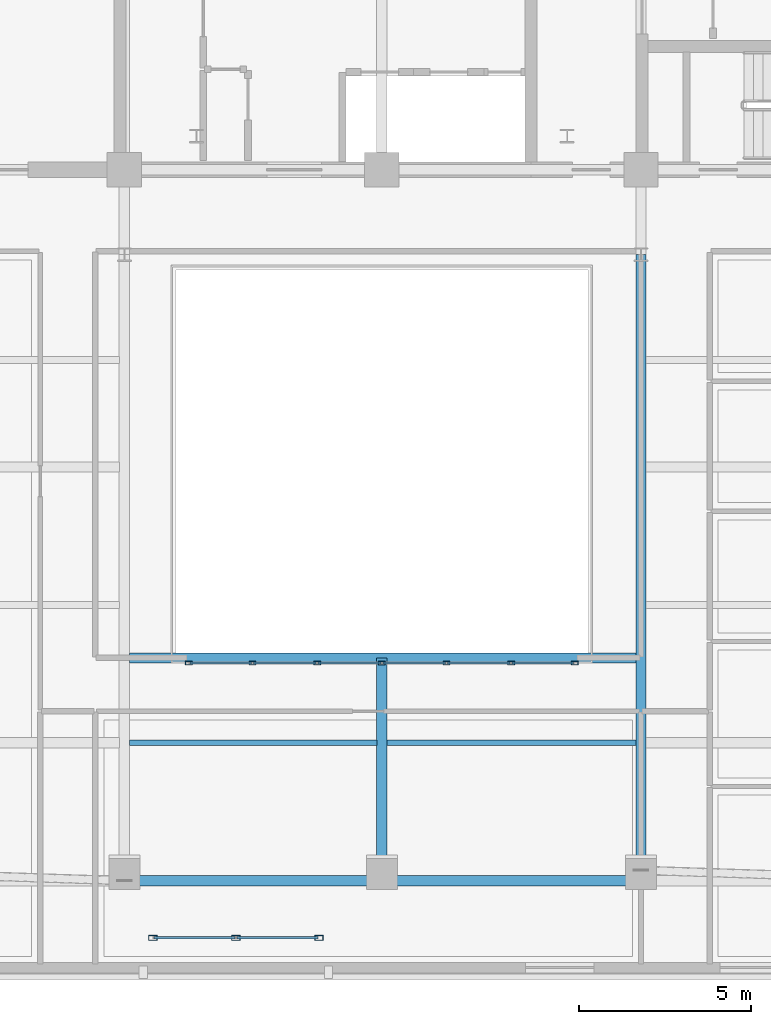
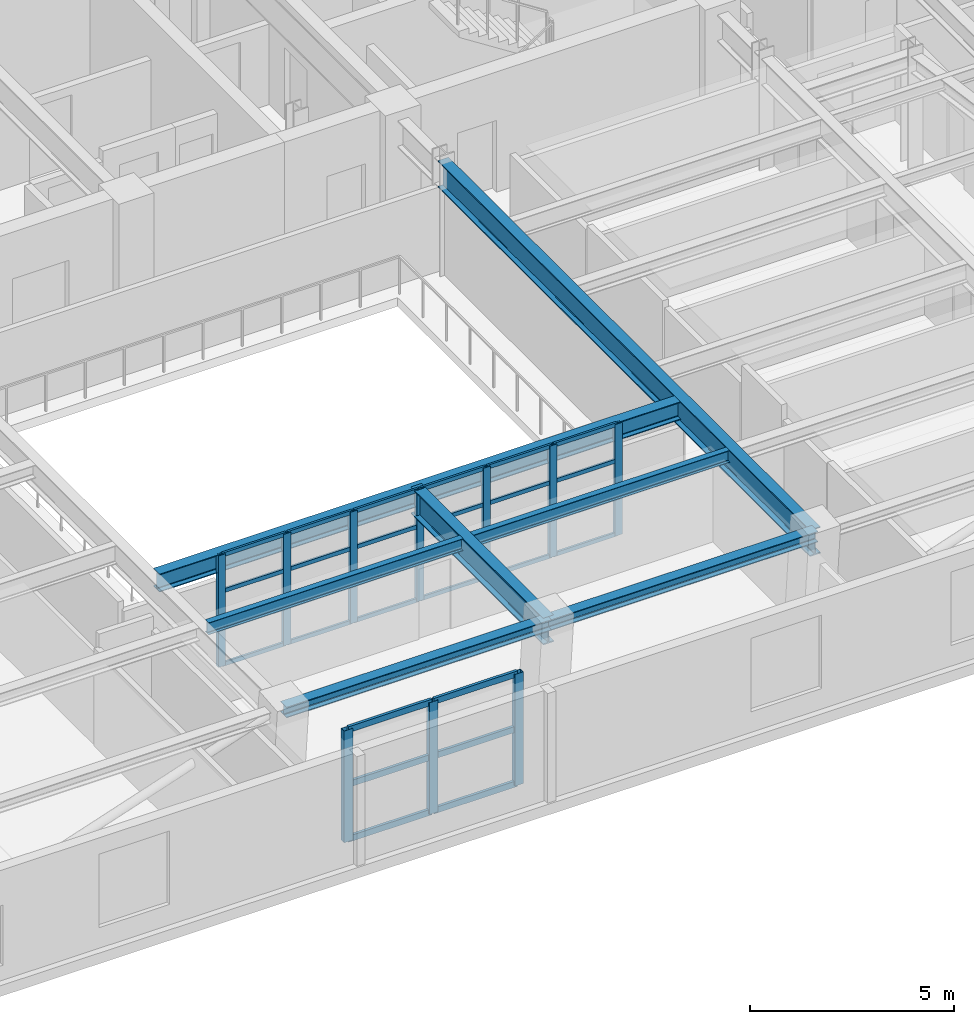
# One storey, part 2 of 13: 40 members, 7 beams, 2 elements without a shape of their own.
"""IFC4 building model written with IfcOpenShell, lengths in metres."""

from ifc_helpers import new_model, si_unit, direction, frame, origin, origin_2d, place, context, subcontext, project, spatial, hollow_rectangle, i_section, extrude, material, layer, layer_set, material_profile, profile_set, type_object, element, aggregate, save


model = new_model("IFC4")

# Units and contexts
model_context = context("Model", 3, precision=1e-05, world=origin(), true_north=direction((0.0, 1.0)))
body_context = subcontext(model_context, "Body", "Model", "MODEL_VIEW")
ifc_project = project(units=[si_unit("LENGTHUNIT", "METRE"), si_unit("AREAUNIT", "SQUARE_METRE"), si_unit("VOLUMEUNIT", "CUBIC_METRE"), si_unit("PLANEANGLEUNIT", "RADIAN"), si_unit("MASSUNIT", "GRAM", prefix="KILO")], contexts=[model_context])

# Site, building, storey
site_placement = place(None, origin())
site = spatial("IfcSite", under=ifc_project, at=site_placement, CompositionType="ELEMENT")
building_placement = place(site_placement, origin())
building = spatial("IfcBuilding", under=site, at=building_placement, Name="Zarnavel Station Tower", CompositionType="ELEMENT")
storey_placement = place(building_placement, frame((0.0, 0.0, 207.60009765625)))
storey = spatial("IfcBuildingStorey", under=building, at=storey_placement, Name="L56", CompositionType="ELEMENT", Elevation=207.60009765625)

# Curtain wall, members
ifc_material_1 = material(Name="Aluminium Dark Anodised and Solar-Control Glass", Category="aluminium")
ifc_layer_1 = layer(ifc_material_1, 0.179931640625)
ifc_layer_set_1 = layer_set([ifc_layer_1], Name="CWS5")
curtain_wall_type_1 = type_object("IfcCurtainWallType", Name="CWS5", PredefinedType="NOTDEFINED", material=ifc_layer_set_1)
curtain_wall_1_placement = place(storey_placement, origin())
curtain_wall_1 = element("IfcCurtainWall", 1, at=curtain_wall_1_placement, inside=storey, type_object=curtain_wall_type_1, Name="L56 Curtain Wall CWS5-L56-AS", PredefinedType="NOTDEFINED")
ifc_material_2 = material(Name="Steel S355J2 (Black Fluoropolymer Coated)", Category="steel")
ifc_material_profile_1 = material_profile(ifc_material_2, hollow_rectangle(XDim=0.10009765625, YDim=0.199951171875, WallThickness=0.008056640625, at=origin_2d()), Name="RHS200x100x8")
ifc_profile_set_1 = profile_set([ifc_material_profile_1], Name="Steel S355J2 (Black Fluoropolymer Coated)")
member_type_1 = type_object("IfcMemberType", Name="CWS5_MUL", PredefinedType="MULLION", material=ifc_profile_set_1)
member_1_placement = place(storey_placement, frame((23.179931640625, 13.449951171875, 0.0), z_axis=(0.0, 0.0, 1.0), x_axis=(0.0, 1.0, 0.0)))
member_1 = element("IfcMember", 2, at=member_1_placement, type_object=member_type_1, Name="CW5 mullion 1", PredefinedType="MULLION", context=body_context, shape_type="SweptSolid", body=[
    extrude(hollow_rectangle(XDim=0.10009765625, YDim=0.199951171875, WallThickness=0.008056640625, at=origin_2d()), origin(), (0.0, 0.0, 1.0), 3.33984375),
])
member_2_placement = place(storey_placement, frame((25.033447265625, 13.449951171875, 0.0), z_axis=(0.0, 0.0, 1.0), x_axis=(0.0, 1.0, 0.0)))
member_2 = element("IfcMember", 3, at=member_2_placement, type_object=member_type_1, Name="CW5 mullion 2", PredefinedType="MULLION", context=body_context, shape_type="SweptSolid", body=[
    extrude(hollow_rectangle(XDim=0.10009765625, YDim=0.199951171875, WallThickness=0.008056640625, at=origin_2d()), origin(), (0.0, 0.0, 1.0), 3.33984375),
])
member_3_placement = place(storey_placement, frame((26.916748046875, 13.449951171875, 0.0), z_axis=(0.0, 0.0, 1.0), x_axis=(0.0, 1.0, 0.0)))
member_3 = element("IfcMember", 4, at=member_3_placement, type_object=member_type_1, Name="CW5 mullion 3", PredefinedType="MULLION", context=body_context, shape_type="SweptSolid", body=[
    extrude(hollow_rectangle(XDim=0.10009765625, YDim=0.199951171875, WallThickness=0.008056640625, at=origin_2d()), origin(), (0.0, 0.0, 1.0), 3.33984375),
])
member_4_placement = place(storey_placement, frame((28.800048828125, 13.449951171875, 0.0), z_axis=(0.0, 0.0, 1.0), x_axis=(0.0, 1.0, 0.0)))
member_4 = element("IfcMember", 5, at=member_4_placement, type_object=member_type_1, Name="CW5 mullion 4", PredefinedType="MULLION", context=body_context, shape_type="SweptSolid", body=[
    extrude(hollow_rectangle(XDim=0.10009765625, YDim=0.199951171875, WallThickness=0.008056640625, at=origin_2d()), origin(), (0.0, 0.0, 1.0), 3.33984375),
])
member_5_placement = place(storey_placement, frame((30.683349609375, 13.449951171875, 0.0), z_axis=(0.0, 0.0, 1.0), x_axis=(0.0, 1.0, 0.0)))
member_5 = element("IfcMember", 6, at=member_5_placement, type_object=member_type_1, Name="CW5 mullion 5", PredefinedType="MULLION", context=body_context, shape_type="SweptSolid", body=[
    extrude(hollow_rectangle(XDim=0.10009765625, YDim=0.199951171875, WallThickness=0.008056640625, at=origin_2d()), origin(), (0.0, 0.0, 1.0), 3.33984375),
])
member_6_placement = place(storey_placement, frame((32.566650390625, 13.449951171875, 0.0), z_axis=(0.0, 0.0, 1.0), x_axis=(0.0, 1.0, 0.0)))
member_6 = element("IfcMember", 7, at=member_6_placement, type_object=member_type_1, Name="CW5 mullion 6", PredefinedType="MULLION", context=body_context, shape_type="SweptSolid", body=[
    extrude(hollow_rectangle(XDim=0.10009765625, YDim=0.199951171875, WallThickness=0.008056640625, at=origin_2d()), origin(), (0.0, 0.0, 1.0), 3.33984375),
])
member_7_placement = place(storey_placement, frame((34.419921875, 13.449951171875, 0.0), z_axis=(0.0, 0.0, 1.0), x_axis=(0.0, 1.0, 0.0)))
member_7 = element("IfcMember", 8, at=member_7_placement, type_object=member_type_1, Name="CW5 mullion 7", PredefinedType="MULLION", context=body_context, shape_type="SweptSolid", body=[
    extrude(hollow_rectangle(XDim=0.10009765625, YDim=0.199951171875, WallThickness=0.008056640625, at=origin_2d()), origin(), (0.0, 0.0, 1.0), 3.33984375),
])
ifc_material_3 = material(Name="Steel S355J2 (Black Fluoropolymer Coated)", Category="steel")
ifc_material_profile_2 = material_profile(ifc_material_3, hollow_rectangle(XDim=0.06005859375, YDim=0.1201171875, WallThickness=0.0048828125, at=origin_2d()), Name="RHS120x60x5")
ifc_profile_set_2 = profile_set([ifc_material_profile_2], Name="Steel S355J2 (Black Fluoropolymer Coated)")
member_type_2 = type_object("IfcMemberType", Name="CWS5_TRN", PredefinedType="USERDEFINED", material=ifc_profile_set_2)
member_8_placement = place(storey_placement, frame((23.2099609375, 13.449951171875, 0.02978515625), z_axis=(1.0, 0.0, 0.0), x_axis=(0.0, 1.0, 0.0)))
member_8 = element("IfcMember", 9, at=member_8_placement, type_object=member_type_2, Name="CW5 transom 1.1", ObjectType="TRANSOM", PredefinedType="USERDEFINED", context=body_context, shape_type="SweptSolid", body=[
    extrude(hollow_rectangle(XDim=0.06005859375, YDim=0.1201171875, WallThickness=0.0048828125, at=origin_2d()), origin(), (0.0, 0.0, 1.0), 1.79345703125),
])
member_9_placement = place(storey_placement, frame((23.2099609375, 13.449951171875, 1.11328125), z_axis=(1.0, 0.0, 0.0), x_axis=(0.0, 1.0, 0.0)))
member_9 = element("IfcMember", 10, at=member_9_placement, type_object=member_type_2, Name="CW5 transom 1.2", ObjectType="TRANSOM", PredefinedType="USERDEFINED", context=body_context, shape_type="SweptSolid", body=[
    extrude(hollow_rectangle(XDim=0.06005859375, YDim=0.1201171875, WallThickness=0.0048828125, at=origin_2d()), origin(), (0.0, 0.0, 1.0), 1.79345703125),
])
member_10_placement = place(storey_placement, frame((23.2099609375, 13.449951171875, 2.2265625), z_axis=(1.0, 0.0, 0.0), x_axis=(0.0, 1.0, 0.0)))
member_10 = element("IfcMember", 11, at=member_10_placement, type_object=member_type_2, Name="CW5 transom 1.3", ObjectType="TRANSOM", PredefinedType="USERDEFINED", context=body_context, shape_type="SweptSolid", body=[
    extrude(hollow_rectangle(XDim=0.06005859375, YDim=0.1201171875, WallThickness=0.0048828125, at=origin_2d()), origin(), (0.0, 0.0, 1.0), 1.79345703125),
])
member_11_placement = place(storey_placement, frame((23.2099609375, 13.449951171875, 3.309814453125), z_axis=(1.0, 0.0, 0.0), x_axis=(0.0, 1.0, 0.0)))
member_11 = element("IfcMember", 12, at=member_11_placement, type_object=member_type_2, Name="CW5 transom 1.4", ObjectType="TRANSOM", PredefinedType="USERDEFINED", context=body_context, shape_type="SweptSolid", body=[
    extrude(hollow_rectangle(XDim=0.06005859375, YDim=0.1201171875, WallThickness=0.0048828125, at=origin_2d()), origin(), (0.0, 0.0, 1.0), 1.79345703125),
])
member_12_placement = place(storey_placement, frame((25.063232421875, 13.449951171875, 0.02978515625), z_axis=(1.0, 0.0, 0.0), x_axis=(0.0, 1.0, 0.0)))
member_12 = element("IfcMember", 13, at=member_12_placement, type_object=member_type_2, Name="CW5 transom 2.1", ObjectType="TRANSOM", PredefinedType="USERDEFINED", context=body_context, shape_type="SweptSolid", body=[
    extrude(hollow_rectangle(XDim=0.06005859375, YDim=0.1201171875, WallThickness=0.0048828125, at=origin_2d()), origin(), (0.0, 0.0, 1.0), 1.823486328125),
])
member_13_placement = place(storey_placement, frame((25.063232421875, 13.449951171875, 1.11328125), z_axis=(1.0, 0.0, 0.0), x_axis=(0.0, 1.0, 0.0)))
member_13 = element("IfcMember", 14, at=member_13_placement, type_object=member_type_2, Name="CW5 transom 2.2", ObjectType="TRANSOM", PredefinedType="USERDEFINED", context=body_context, shape_type="SweptSolid", body=[
    extrude(hollow_rectangle(XDim=0.06005859375, YDim=0.1201171875, WallThickness=0.0048828125, at=origin_2d()), origin(), (0.0, 0.0, 1.0), 1.823486328125),
])
member_14_placement = place(storey_placement, frame((25.063232421875, 13.449951171875, 2.2265625), z_axis=(1.0, 0.0, 0.0), x_axis=(0.0, 1.0, 0.0)))
member_14 = element("IfcMember", 15, at=member_14_placement, type_object=member_type_2, Name="CW5 transom 2.3", ObjectType="TRANSOM", PredefinedType="USERDEFINED", context=body_context, shape_type="SweptSolid", body=[
    extrude(hollow_rectangle(XDim=0.06005859375, YDim=0.1201171875, WallThickness=0.0048828125, at=origin_2d()), origin(), (0.0, 0.0, 1.0), 1.823486328125),
])
member_15_placement = place(storey_placement, frame((25.063232421875, 13.449951171875, 3.309814453125), z_axis=(1.0, 0.0, 0.0), x_axis=(0.0, 1.0, 0.0)))
member_15 = element("IfcMember", 16, at=member_15_placement, type_object=member_type_2, Name="CW5 transom 2.4", ObjectType="TRANSOM", PredefinedType="USERDEFINED", context=body_context, shape_type="SweptSolid", body=[
    extrude(hollow_rectangle(XDim=0.06005859375, YDim=0.1201171875, WallThickness=0.0048828125, at=origin_2d()), origin(), (0.0, 0.0, 1.0), 1.823486328125),
])
member_16_placement = place(storey_placement, frame((26.94677734375, 13.449951171875, 0.02978515625), z_axis=(1.0, 0.0, 0.0), x_axis=(0.0, 1.0, 0.0)))
member_16 = element("IfcMember", 17, at=member_16_placement, type_object=member_type_2, Name="CW5 transom 3.1", ObjectType="TRANSOM", PredefinedType="USERDEFINED", context=body_context, shape_type="SweptSolid", body=[
    extrude(hollow_rectangle(XDim=0.06005859375, YDim=0.1201171875, WallThickness=0.0048828125, at=origin_2d()), origin(), (0.0, 0.0, 1.0), 1.8232421875),
])
member_17_placement = place(storey_placement, frame((26.94677734375, 13.449951171875, 1.11328125), z_axis=(1.0, 0.0, 0.0), x_axis=(0.0, 1.0, 0.0)))
member_17 = element("IfcMember", 18, at=member_17_placement, type_object=member_type_2, Name="CW5 transom 3.2", ObjectType="TRANSOM", PredefinedType="USERDEFINED", context=body_context, shape_type="SweptSolid", body=[
    extrude(hollow_rectangle(XDim=0.06005859375, YDim=0.1201171875, WallThickness=0.0048828125, at=origin_2d()), origin(), (0.0, 0.0, 1.0), 1.8232421875),
])
member_18_placement = place(storey_placement, frame((26.94677734375, 13.449951171875, 2.2265625), z_axis=(1.0, 0.0, 0.0), x_axis=(0.0, 1.0, 0.0)))
member_18 = element("IfcMember", 19, at=member_18_placement, type_object=member_type_2, Name="CW5 transom 3.3", ObjectType="TRANSOM", PredefinedType="USERDEFINED", context=body_context, shape_type="SweptSolid", body=[
    extrude(hollow_rectangle(XDim=0.06005859375, YDim=0.1201171875, WallThickness=0.0048828125, at=origin_2d()), origin(), (0.0, 0.0, 1.0), 1.8232421875),
])
member_19_placement = place(storey_placement, frame((26.94677734375, 13.449951171875, 3.309814453125), z_axis=(1.0, 0.0, 0.0), x_axis=(0.0, 1.0, 0.0)))
member_19 = element("IfcMember", 20, at=member_19_placement, type_object=member_type_2, Name="CW5 transom 3.4", ObjectType="TRANSOM", PredefinedType="USERDEFINED", context=body_context, shape_type="SweptSolid", body=[
    extrude(hollow_rectangle(XDim=0.06005859375, YDim=0.1201171875, WallThickness=0.0048828125, at=origin_2d()), origin(), (0.0, 0.0, 1.0), 1.8232421875),
])
member_20_placement = place(storey_placement, frame((28.830078125, 13.449951171875, 0.02978515625), z_axis=(1.0, 0.0, 0.0), x_axis=(0.0, 1.0, 0.0)))
member_20 = element("IfcMember", 21, at=member_20_placement, type_object=member_type_2, Name="CW5 transom 4.1", ObjectType="TRANSOM", PredefinedType="USERDEFINED", context=body_context, shape_type="SweptSolid", body=[
    extrude(hollow_rectangle(XDim=0.06005859375, YDim=0.1201171875, WallThickness=0.0048828125, at=origin_2d()), origin(), (0.0, 0.0, 1.0), 1.8232421875),
])
member_21_placement = place(storey_placement, frame((28.830078125, 13.449951171875, 1.11328125), z_axis=(1.0, 0.0, 0.0), x_axis=(0.0, 1.0, 0.0)))
member_21 = element("IfcMember", 22, at=member_21_placement, type_object=member_type_2, Name="CW5 transom 4.2", ObjectType="TRANSOM", PredefinedType="USERDEFINED", context=body_context, shape_type="SweptSolid", body=[
    extrude(hollow_rectangle(XDim=0.06005859375, YDim=0.1201171875, WallThickness=0.0048828125, at=origin_2d()), origin(), (0.0, 0.0, 1.0), 1.8232421875),
])
member_22_placement = place(storey_placement, frame((28.830078125, 13.449951171875, 2.2265625), z_axis=(1.0, 0.0, 0.0), x_axis=(0.0, 1.0, 0.0)))
member_22 = element("IfcMember", 23, at=member_22_placement, type_object=member_type_2, Name="CW5 transom 4.3", ObjectType="TRANSOM", PredefinedType="USERDEFINED", context=body_context, shape_type="SweptSolid", body=[
    extrude(hollow_rectangle(XDim=0.06005859375, YDim=0.1201171875, WallThickness=0.0048828125, at=origin_2d()), origin(), (0.0, 0.0, 1.0), 1.8232421875),
])
member_23_placement = place(storey_placement, frame((28.830078125, 13.449951171875, 3.309814453125), z_axis=(1.0, 0.0, 0.0), x_axis=(0.0, 1.0, 0.0)))
member_23 = element("IfcMember", 24, at=member_23_placement, type_object=member_type_2, Name="CW5 transom 4.4", ObjectType="TRANSOM", PredefinedType="USERDEFINED", context=body_context, shape_type="SweptSolid", body=[
    extrude(hollow_rectangle(XDim=0.06005859375, YDim=0.1201171875, WallThickness=0.0048828125, at=origin_2d()), origin(), (0.0, 0.0, 1.0), 1.8232421875),
])
member_24_placement = place(storey_placement, frame((30.71337890625, 13.449951171875, 0.02978515625), z_axis=(1.0, 0.0, 0.0), x_axis=(0.0, 1.0, 0.0)))
member_24 = element("IfcMember", 25, at=member_24_placement, type_object=member_type_2, Name="CW5 transom 5.1", ObjectType="TRANSOM", PredefinedType="USERDEFINED", context=body_context, shape_type="SweptSolid", body=[
    extrude(hollow_rectangle(XDim=0.06005859375, YDim=0.1201171875, WallThickness=0.0048828125, at=origin_2d()), origin(), (0.0, 0.0, 1.0), 1.8232421875),
])
member_25_placement = place(storey_placement, frame((30.71337890625, 13.449951171875, 1.11328125), z_axis=(1.0, 0.0, 0.0), x_axis=(0.0, 1.0, 0.0)))
member_25 = element("IfcMember", 26, at=member_25_placement, type_object=member_type_2, Name="CW5 transom 5.2", ObjectType="TRANSOM", PredefinedType="USERDEFINED", context=body_context, shape_type="SweptSolid", body=[
    extrude(hollow_rectangle(XDim=0.06005859375, YDim=0.1201171875, WallThickness=0.0048828125, at=origin_2d()), origin(), (0.0, 0.0, 1.0), 1.8232421875),
])
member_26_placement = place(storey_placement, frame((30.71337890625, 13.449951171875, 2.2265625), z_axis=(1.0, 0.0, 0.0), x_axis=(0.0, 1.0, 0.0)))
member_26 = element("IfcMember", 27, at=member_26_placement, type_object=member_type_2, Name="CW5 transom 5.3", ObjectType="TRANSOM", PredefinedType="USERDEFINED", context=body_context, shape_type="SweptSolid", body=[
    extrude(hollow_rectangle(XDim=0.06005859375, YDim=0.1201171875, WallThickness=0.0048828125, at=origin_2d()), origin(), (0.0, 0.0, 1.0), 1.8232421875),
])
member_27_placement = place(storey_placement, frame((30.71337890625, 13.449951171875, 3.309814453125), z_axis=(1.0, 0.0, 0.0), x_axis=(0.0, 1.0, 0.0)))
member_27 = element("IfcMember", 28, at=member_27_placement, type_object=member_type_2, Name="CW5 transom 5.4", ObjectType="TRANSOM", PredefinedType="USERDEFINED", context=body_context, shape_type="SweptSolid", body=[
    extrude(hollow_rectangle(XDim=0.06005859375, YDim=0.1201171875, WallThickness=0.0048828125, at=origin_2d()), origin(), (0.0, 0.0, 1.0), 1.8232421875),
])
member_28_placement = place(storey_placement, frame((32.5966796875, 13.449951171875, 0.02978515625), z_axis=(1.0, 0.0, 0.0), x_axis=(0.0, 1.0, 0.0)))
member_28 = element("IfcMember", 29, at=member_28_placement, type_object=member_type_2, Name="CW5 transom 6.1", ObjectType="TRANSOM", PredefinedType="USERDEFINED", context=body_context, shape_type="SweptSolid", body=[
    extrude(hollow_rectangle(XDim=0.06005859375, YDim=0.1201171875, WallThickness=0.0048828125, at=origin_2d()), origin(), (0.0, 0.0, 1.0), 1.793212890625),
])
member_29_placement = place(storey_placement, frame((32.5966796875, 13.449951171875, 1.11328125), z_axis=(1.0, 0.0, 0.0), x_axis=(0.0, 1.0, 0.0)))
member_29 = element("IfcMember", 30, at=member_29_placement, type_object=member_type_2, Name="CW5 transom 6.2", ObjectType="TRANSOM", PredefinedType="USERDEFINED", context=body_context, shape_type="SweptSolid", body=[
    extrude(hollow_rectangle(XDim=0.06005859375, YDim=0.1201171875, WallThickness=0.0048828125, at=origin_2d()), origin(), (0.0, 0.0, 1.0), 1.793212890625),
])
member_30_placement = place(storey_placement, frame((32.5966796875, 13.449951171875, 2.2265625), z_axis=(1.0, 0.0, 0.0), x_axis=(0.0, 1.0, 0.0)))
member_30 = element("IfcMember", 31, at=member_30_placement, type_object=member_type_2, Name="CW5 transom 6.3", ObjectType="TRANSOM", PredefinedType="USERDEFINED", context=body_context, shape_type="SweptSolid", body=[
    extrude(hollow_rectangle(XDim=0.06005859375, YDim=0.1201171875, WallThickness=0.0048828125, at=origin_2d()), origin(), (0.0, 0.0, 1.0), 1.793212890625),
])
member_31_placement = place(storey_placement, frame((32.5966796875, 13.449951171875, 3.309814453125), z_axis=(1.0, 0.0, 0.0), x_axis=(0.0, 1.0, 0.0)))
member_31 = element("IfcMember", 32, at=member_31_placement, type_object=member_type_2, Name="CW5 transom 6.4", ObjectType="TRANSOM", PredefinedType="USERDEFINED", context=body_context, shape_type="SweptSolid", body=[
    extrude(hollow_rectangle(XDim=0.06005859375, YDim=0.1201171875, WallThickness=0.0048828125, at=origin_2d()), origin(), (0.0, 0.0, 1.0), 1.793212890625),
])
aggregate(curtain_wall_1, [member_1, member_2, member_3, member_4, member_5, member_6, member_7, member_8, member_9, member_10, member_11, member_12, member_13, member_14, member_15, member_16, member_17, member_18, member_19, member_20, member_21, member_22, member_23, member_24, member_25, member_26, member_27, member_28, member_29, member_30, member_31])

ifc_material_4 = material(Name="Aluminium Dark Anodised and Solar-Control Glass", Category="aluminium")
ifc_layer_2 = layer(ifc_material_4, 0.179931640625)
ifc_layer_set_2 = layer_set([ifc_layer_2], Name="CWS6")
curtain_wall_type_2 = type_object("IfcCurtainWallType", Name="CWS6", PredefinedType="NOTDEFINED", material=ifc_layer_set_2)
curtain_wall_2_placement = place(storey_placement, origin())
curtain_wall_2 = element("IfcCurtainWall", 33, at=curtain_wall_2_placement, inside=storey, type_object=curtain_wall_type_2, Name="L56 Curtain Wall CWS6-LOG-L56", PredefinedType="NOTDEFINED")
ifc_material_5 = material(Name="Steel S355J2 (Black Fluoropolymer Coated)", Category="steel")
ifc_material_profile_3 = material_profile(ifc_material_5, hollow_rectangle(XDim=0.14990234375, YDim=0.25, WallThickness=0.010009765625, at=origin_2d()), Name="RHS250x150x10")
ifc_profile_set_3 = profile_set([ifc_material_profile_3], Name="Steel S355J2 (Black Fluoropolymer Coated)")
member_type_3 = type_object("IfcMemberType", Name="CWS6_MUL", PredefinedType="MULLION", material=ifc_profile_set_3)
member_32_placement = place(storey_placement, frame((22.1298828125, 5.449951171875, 0.0), z_axis=(0.0, 0.0, 1.0), x_axis=(0.0, 1.0, 0.0)))
member_32 = element("IfcMember", 34, at=member_32_placement, type_object=member_type_3, Name="CW6 mullion 1", PredefinedType="MULLION", context=body_context, shape_type="SweptSolid", body=[
    extrude(hollow_rectangle(XDim=0.14990234375, YDim=0.25, WallThickness=0.010009765625, at=origin_2d()), origin(), (0.0, 0.0, 1.0), 3.33984375),
])
member_33_placement = place(storey_placement, frame((24.550048828125, 5.449951171875, 0.0), z_axis=(0.0, 0.0, 1.0), x_axis=(0.0, 1.0, 0.0)))
member_33 = element("IfcMember", 35, at=member_33_placement, type_object=member_type_3, Name="CW6 mullion 2", PredefinedType="MULLION", context=body_context, shape_type="SweptSolid", body=[
    extrude(hollow_rectangle(XDim=0.14990234375, YDim=0.25, WallThickness=0.010009765625, at=origin_2d()), origin(), (0.0, 0.0, 1.0), 3.33984375),
])
member_34_placement = place(storey_placement, frame((26.969970703125, 5.449951171875, 0.0), z_axis=(0.0, 0.0, 1.0), x_axis=(0.0, 1.0, 0.0)))
member_34 = element("IfcMember", 36, at=member_34_placement, type_object=member_type_3, Name="CW6 mullion 3", PredefinedType="MULLION", context=body_context, shape_type="SweptSolid", body=[
    extrude(hollow_rectangle(XDim=0.14990234375, YDim=0.25, WallThickness=0.010009765625, at=origin_2d()), origin(), (0.0, 0.0, 1.0), 3.33984375),
])
ifc_material_6 = material(Name="Steel S355J2 (Black Fluoropolymer Coated)", Category="steel")
ifc_material_profile_4 = material_profile(ifc_material_6, hollow_rectangle(XDim=0.080078125, YDim=0.179931640625, WallThickness=0.00634765625, at=origin_2d()), Name="RHS180x80x6.3")
ifc_profile_set_4 = profile_set([ifc_material_profile_4], Name="Steel S355J2 (Black Fluoropolymer Coated)")
member_type_4 = type_object("IfcMemberType", Name="CWS6_TRN", PredefinedType="USERDEFINED", material=ifc_profile_set_4)
member_35_placement = place(storey_placement, frame((22.159912109375, 5.449951171875, 0.02978515625), z_axis=(1.0, 0.0, 0.0), x_axis=(0.0, 1.0, 0.0)))
member_35 = element("IfcMember", 37, at=member_35_placement, type_object=member_type_4, Name="CW6 transom 1.1", ObjectType="TRANSOM", PredefinedType="USERDEFINED", context=body_context, shape_type="SweptSolid", body=[
    extrude(hollow_rectangle(XDim=0.080078125, YDim=0.179931640625, WallThickness=0.00634765625, at=origin_2d()), origin(), (0.0, 0.0, 1.0), 2.360107421875),
])
member_36_placement = place(storey_placement, frame((22.159912109375, 5.449951171875, 1.669921875), z_axis=(1.0, 0.0, 0.0), x_axis=(0.0, 1.0, 0.0)))
member_36 = element("IfcMember", 38, at=member_36_placement, type_object=member_type_4, Name="CW6 transom 1.2", ObjectType="TRANSOM", PredefinedType="USERDEFINED", context=body_context, shape_type="SweptSolid", body=[
    extrude(hollow_rectangle(XDim=0.080078125, YDim=0.179931640625, WallThickness=0.00634765625, at=origin_2d()), origin(), (0.0, 0.0, 1.0), 2.360107421875),
])
member_37_placement = place(storey_placement, frame((22.159912109375, 5.449951171875, 3.309814453125), z_axis=(1.0, 0.0, 0.0), x_axis=(0.0, 1.0, 0.0)))
member_37 = element("IfcMember", 39, at=member_37_placement, type_object=member_type_4, Name="CW6 transom 1.3", ObjectType="TRANSOM", PredefinedType="USERDEFINED", context=body_context, shape_type="SweptSolid", body=[
    extrude(hollow_rectangle(XDim=0.080078125, YDim=0.179931640625, WallThickness=0.00634765625, at=origin_2d()), origin(), (0.0, 0.0, 1.0), 2.360107421875),
])
member_38_placement = place(storey_placement, frame((24.580078125, 5.449951171875, 0.02978515625), z_axis=(1.0, 0.0, 0.0), x_axis=(0.0, 1.0, 0.0)))
member_38 = element("IfcMember", 40, at=member_38_placement, type_object=member_type_4, Name="CW6 transom 2.1", ObjectType="TRANSOM", PredefinedType="USERDEFINED", context=body_context, shape_type="SweptSolid", body=[
    extrude(hollow_rectangle(XDim=0.080078125, YDim=0.179931640625, WallThickness=0.00634765625, at=origin_2d()), origin(), (0.0, 0.0, 1.0), 2.35986328125),
])
member_39_placement = place(storey_placement, frame((24.580078125, 5.449951171875, 1.669921875), z_axis=(1.0, 0.0, 0.0), x_axis=(0.0, 1.0, 0.0)))
member_39 = element("IfcMember", 41, at=member_39_placement, type_object=member_type_4, Name="CW6 transom 2.2", ObjectType="TRANSOM", PredefinedType="USERDEFINED", context=body_context, shape_type="SweptSolid", body=[
    extrude(hollow_rectangle(XDim=0.080078125, YDim=0.179931640625, WallThickness=0.00634765625, at=origin_2d()), origin(), (0.0, 0.0, 1.0), 2.35986328125),
])
member_40_placement = place(storey_placement, frame((24.580078125, 5.449951171875, 3.309814453125), z_axis=(1.0, 0.0, 0.0), x_axis=(0.0, 1.0, 0.0)))
member_40 = element("IfcMember", 42, at=member_40_placement, type_object=member_type_4, Name="CW6 transom 2.3", ObjectType="TRANSOM", PredefinedType="USERDEFINED", context=body_context, shape_type="SweptSolid", body=[
    extrude(hollow_rectangle(XDim=0.080078125, YDim=0.179931640625, WallThickness=0.00634765625, at=origin_2d()), origin(), (0.0, 0.0, 1.0), 2.35986328125),
])
aggregate(curtain_wall_2, [member_32, member_33, member_34, member_35, member_36, member_37, member_38, member_39, member_40])

# Beams
ifc_material_7 = material(Name="Steel S355J2", Category="steel")
ifc_material_profile_5 = material_profile(ifc_material_7, i_section(OverallWidth=0.300048828125, OverallDepth=0.320068359375, WebThickness=0.011474609375, FlangeThickness=0.0205078125, FilletRadius=0.027099609375, at=origin_2d()), Name="HEB320")
ifc_profile_set_5 = profile_set([ifc_material_profile_5], Name="Steel S355J2")
beam_type_1 = type_object("IfcBeamType", Name="EB_HEB320", PredefinedType="SPANDREL", material=ifc_profile_set_5)
beam_1_placement = place(storey_placement, frame((21.300048828125, 7.112548828125, 3.179931640625), z_axis=(1.0, 0.0, 0.0), x_axis=(0.0, 1.0, 0.0)))
element("IfcBeam", 43, at=beam_1_placement, inside=storey, type_object=beam_type_1, Name="L56 South Raked Spandrel 2", PredefinedType="SPANDREL", context=body_context, shape_type="SweptSolid", body=[
    extrude(i_section(OverallWidth=0.300048828125, OverallDepth=0.320068359375, WebThickness=0.011474609375, FlangeThickness=0.0205078125, FilletRadius=0.027099609375, at=origin_2d()), origin(), (0.0, 0.0, 1.0), 7.5),
])
beam_2_placement = place(storey_placement, frame((28.800048828125, 7.112548828125, 3.179931640625), z_axis=(1.0, 0.0, 0.0), x_axis=(0.0, 1.0, 0.0)))
element("IfcBeam", 44, at=beam_2_placement, inside=storey, type_object=beam_type_1, Name="L56 South Raked Spandrel 3", PredefinedType="SPANDREL", context=body_context, shape_type="SweptSolid", body=[
    extrude(i_section(OverallWidth=0.300048828125, OverallDepth=0.320068359375, WebThickness=0.011474609375, FlangeThickness=0.0205078125, FilletRadius=0.027099609375, at=origin_2d()), origin(), (0.0, 0.0, 1.0), 7.550048828125),
])
ifc_material_8 = material(Name="Steel S355J2", Category="steel")
ifc_material_profile_6 = material_profile(ifc_material_8, i_section(OverallWidth=0.300048828125, OverallDepth=0.5400390625, WebThickness=0.012451171875, FlangeThickness=0.02392578125, FilletRadius=0.027099609375, at=origin_2d()), Name="HEA550")
ifc_profile_set_6 = profile_set([ifc_material_profile_6], Name="Steel S355J2")
beam_type_2 = type_object("IfcBeamType", Name="FB_HEA550", PredefinedType="BEAM", material=ifc_profile_set_6)
beam_3_placement = place(storey_placement, frame((21.445068359375, 13.60009765625, 3.06982421875), z_axis=(1.0, 0.0, 0.0), x_axis=(0.0, 1.0, 0.0)))
element("IfcBeam", 45, at=beam_3_placement, inside=storey, type_object=beam_type_2, Name="L56 Atrium South Edge Girder", PredefinedType="BEAM", context=body_context, shape_type="SweptSolid", body=[
    extrude(i_section(OverallWidth=0.300048828125, OverallDepth=0.5400390625, WebThickness=0.012451171875, FlangeThickness=0.02392578125, FilletRadius=0.027099609375, at=origin_2d()), origin(), (0.0, 0.0, 1.0), 14.760009765625),
])
ifc_material_9 = material(Name="Steel S355J2", Category="steel")
ifc_material_profile_7 = material_profile(ifc_material_9, i_section(OverallWidth=0.300048828125, OverallDepth=0.800048828125, WebThickness=0.017578125, FlangeThickness=0.032958984375, FilletRadius=0.030029296875, at=origin_2d()), Name="HEB800")
ifc_profile_set_7 = profile_set([ifc_material_profile_7], Name="Steel S355J2")
beam_type_3 = type_object("IfcBeamType", Name="FG_HEB800", PredefinedType="USERDEFINED", material=ifc_profile_set_7)
beam_4_placement = place(storey_placement, frame((28.800048828125, 7.112548828125, 2.93994140625), z_axis=(0.0, 1.0, 0.0), x_axis=(-1.0, 0.0, 0.0)))
element("IfcBeam", 46, at=beam_4_placement, inside=storey, type_object=beam_type_3, Name="L56 Central Atrium-South Girder", ObjectType="GIRDER", PredefinedType="USERDEFINED", context=body_context, shape_type="SweptSolid", body=[
    extrude(i_section(OverallWidth=0.300048828125, OverallDepth=0.800048828125, WebThickness=0.017578125, FlangeThickness=0.032958984375, FilletRadius=0.030029296875, at=origin_2d()), origin(), (0.0, 0.0, 1.0), 6.487548828125),
])
beam_5_placement = place(storey_placement, frame((36.35009765625, 7.112548828125, 2.93994140625), z_axis=(0.0, 1.0, 0.0), x_axis=(-1.0, 0.0, 0.0)))
element("IfcBeam", 47, at=beam_5_placement, inside=storey, type_object=beam_type_3, Name="L56 South-Zone NS Girder 4", ObjectType="GIRDER", PredefinedType="USERDEFINED", context=body_context, shape_type="SweptSolid", body=[
    extrude(i_section(OverallWidth=0.300048828125, OverallDepth=0.800048828125, WebThickness=0.017578125, FlangeThickness=0.032958984375, FilletRadius=0.030029296875, at=origin_2d()), origin(), (0.0, 0.0, 1.0), 18.237548828125),
])
ifc_material_10 = material(Name="Steel S355J2", Category="steel")
ifc_material_profile_8 = material_profile(ifc_material_10, i_section(OverallWidth=0.169921875, OverallDepth=0.360107421875, WebThickness=0.008056640625, FlangeThickness=0.0126953125, FilletRadius=0.01806640625, at=origin_2d()), Name="IPE360")
ifc_profile_set_8 = profile_set([ifc_material_profile_8], Name="Steel S355J2")
beam_type_4 = type_object("IfcBeamType", Name="FJ_IPE360", PredefinedType="JOIST", material=ifc_profile_set_8)
beam_6_placement = place(storey_placement, frame((21.445068359375, 11.130126953125, 3.159912109375), z_axis=(1.0, 0.0, 0.0), x_axis=(0.0, 1.0, 0.0)))
element("IfcBeam", 48, at=beam_6_placement, inside=storey, type_object=beam_type_4, Name="L56 Mid-West Joist 1", PredefinedType="JOIST", context=body_context, shape_type="SweptSolid", body=[
    extrude(i_section(OverallWidth=0.169921875, OverallDepth=0.360107421875, WebThickness=0.008056640625, FlangeThickness=0.0126953125, FilletRadius=0.01806640625, at=origin_2d()), origin(), (0.0, 0.0, 1.0), 7.2099609375),
])
beam_7_placement = place(storey_placement, frame((28.945068359375, 11.130126953125, 3.159912109375), z_axis=(1.0, 0.0, 0.0), x_axis=(0.0, 1.0, 0.0)))
element("IfcBeam", 49, at=beam_7_placement, inside=storey, type_object=beam_type_4, Name="L56 Mid-East Joist 1", PredefinedType="JOIST", context=body_context, shape_type="SweptSolid", body=[
    extrude(i_section(OverallWidth=0.169921875, OverallDepth=0.360107421875, WebThickness=0.008056640625, FlangeThickness=0.0126953125, FilletRadius=0.01806640625, at=origin_2d()), origin(), (0.0, 0.0, 1.0), 7.260009765625),
])

save(model, "model.ifc")
